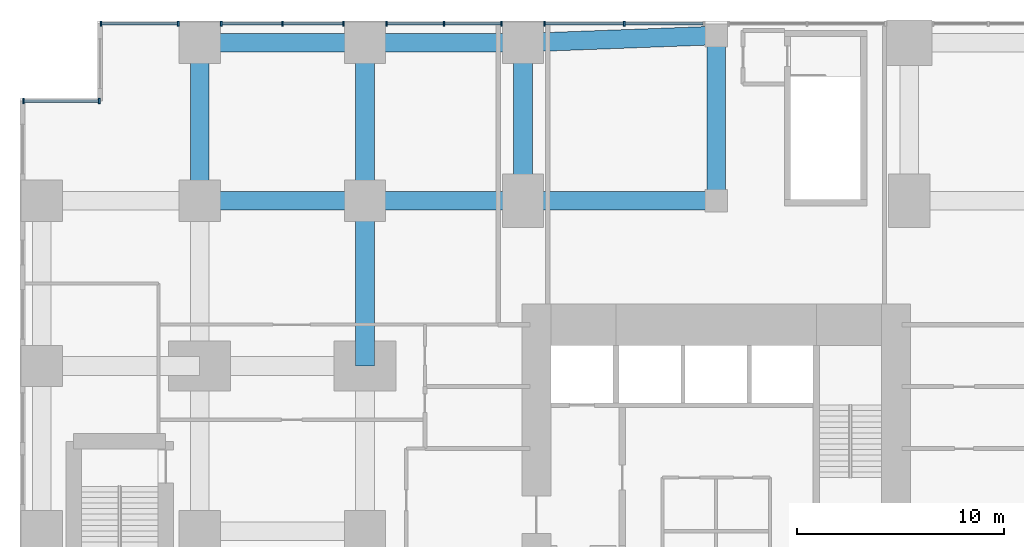
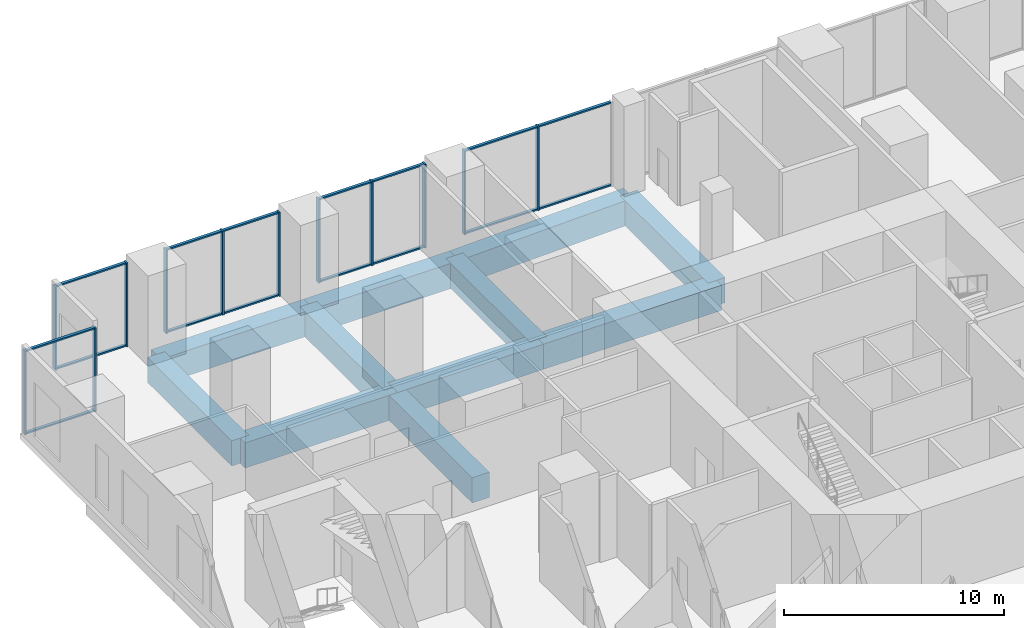
# One storey, part 2 of 11: 28 members, 11 beams, 5 elements without a shape of their own.
"""IFC4 building model written with IfcOpenShell, lengths in metres."""

from ifc_helpers import new_model, si_unit, direction, frame, origin, origin_2d, place, context, subcontext, project, spatial, rectangle, extrude, material, layer, layer_set, material_profile, profile_set, type_object, element, aggregate, save


model = new_model("IFC4")

# Units and contexts
model_context = context("Model", 3, precision=1e-05, world=origin(), true_north=direction((0.0, 1.0)))
body_context = subcontext(model_context, "Body", "Model", "MODEL_VIEW")
ifc_project = project(units=[si_unit("LENGTHUNIT", "METRE"), si_unit("AREAUNIT", "SQUARE_METRE"), si_unit("VOLUMEUNIT", "CUBIC_METRE"), si_unit("PLANEANGLEUNIT", "RADIAN"), si_unit("MASSUNIT", "GRAM", prefix="KILO")], contexts=[model_context])

# Site, building, storey
site_placement = place(None, origin())
site = spatial("IfcSite", under=ifc_project, at=site_placement, CompositionType="ELEMENT")
building_placement = place(site_placement, origin())
building = spatial("IfcBuilding", under=site, at=building_placement, Name="Cleftline Residences", CompositionType="ELEMENT")
storey_placement = place(building_placement, frame((0.0, 0.0, 21.0)))
storey = spatial("IfcBuildingStorey", under=building, at=storey_placement, Name="L04", CompositionType="ELEMENT", Elevation=21.0)

# Beams
ifc_material_1 = material(Name="Concrete B45", Category="concrete")
ifc_material_profile_1 = material_profile(ifc_material_1, rectangle(XDim=0.89990234375, YDim=1.39990234375, at=origin_2d()))
ifc_profile_set_1 = profile_set([ifc_material_profile_1], Name="Concrete B45")
beam_type = type_object("IfcBeamType", Name="BEAM RC900X1400", PredefinedType="BEAM", material=ifc_profile_set_1)
beam_1_placement = place(storey_placement, frame((8.0, 40.0, -1.0), z_axis=(1.0, 0.0, 0.0), x_axis=(0.0, 1.0, 0.0)))
element("IfcBeam", 1, at=beam_1_placement, inside=storey, type_object=beam_type, Name="Podium beam", PredefinedType="BEAM", context=body_context, shape_type="SweptSolid", body=[
    extrude(rectangle(XDim=0.89990234375, YDim=1.39990234375, at=origin_2d()), origin(), (0.0, 0.0, 1.0), 8.0),
])
beam_2_placement = place(storey_placement, frame((16.0, 40.0, -1.0), z_axis=(1.0, 0.0, 0.0), x_axis=(0.0, 1.0, 0.0)))
element("IfcBeam", 2, at=beam_2_placement, inside=storey, type_object=beam_type, Name="Podium beam", PredefinedType="BEAM", context=body_context, shape_type="SweptSolid", body=[
    extrude(rectangle(XDim=0.89990234375, YDim=1.39990234375, at=origin_2d()), origin(), (0.0, 0.0, 1.0), 7.64990234375),
])
beam_3_placement = place(storey_placement, frame((23.64990234375, 40.0, -1.0), z_axis=(1.0, 0.0, 0.0), x_axis=(0.0, 1.0, 0.0)))
element("IfcBeam", 3, at=beam_3_placement, inside=storey, type_object=beam_type, Name="Podium beam", PredefinedType="BEAM", context=body_context, shape_type="SweptSolid", body=[
    extrude(rectangle(XDim=0.89990234375, YDim=1.39990234375, at=origin_2d()), origin(), (0.0, 0.0, 1.0), 9.35009765625),
])
beam_4_placement = place(storey_placement, frame((8.0, 47.64990234375, -1.0), z_axis=(1.0, 0.0, 0.0), x_axis=(0.0, 1.0, 0.0)))
element("IfcBeam", 4, at=beam_4_placement, inside=storey, type_object=beam_type, Name="Podium beam", PredefinedType="BEAM", context=body_context, shape_type="SweptSolid", body=[
    extrude(rectangle(XDim=0.89990234375, YDim=1.39990234375, at=origin_2d()), origin(), (0.0, 0.0, 1.0), 8.0),
])
beam_5_placement = place(storey_placement, frame((16.0, 47.64990234375, -1.0), z_axis=(1.0, 0.0, 0.0), x_axis=(0.0, 1.0, 0.0)))
element("IfcBeam", 5, at=beam_5_placement, inside=storey, type_object=beam_type, Name="Podium beam", PredefinedType="BEAM", context=body_context, shape_type="SweptSolid", body=[
    extrude(rectangle(XDim=0.89990234375, YDim=1.39990234375, at=origin_2d()), origin(), (0.0, 0.0, 1.0), 7.64990234375),
])
beam_6_placement = place(storey_placement, frame((23.64990234375, 47.64990234375, -1.0), z_axis=(0.999299739303, 0.037416988515, 0.0), x_axis=(-0.037416988515, 0.999299739303, 0.0)))
element("IfcBeam", 6, at=beam_6_placement, inside=storey, type_object=beam_type, Name="Podium beam", PredefinedType="BEAM", context=body_context, shape_type="SweptSolid", body=[
    extrude(rectangle(XDim=0.89990234375, YDim=1.39990234375, at=origin_2d()), origin(), (0.0, 0.0, 1.0), 9.356689453125),
])
beam_7_placement = place(storey_placement, frame((8.0, 40.0, -1.0), z_axis=(0.0, 1.0, 0.0), x_axis=(-1.0, 0.0, 0.0)))
element("IfcBeam", 7, at=beam_7_placement, inside=storey, type_object=beam_type, Name="Podium beam", PredefinedType="BEAM", context=body_context, shape_type="SweptSolid", body=[
    extrude(rectangle(XDim=0.89990234375, YDim=1.39990234375, at=origin_2d()), origin(), (0.0, 0.0, 1.0), 7.64990234375),
])
beam_8_placement = place(storey_placement, frame((16.0, 32.0, -1.0), z_axis=(0.0, 1.0, 0.0), x_axis=(-1.0, 0.0, 0.0)))
element("IfcBeam", 8, at=beam_8_placement, inside=storey, type_object=beam_type, Name="Podium beam", PredefinedType="BEAM", context=body_context, shape_type="SweptSolid", body=[
    extrude(rectangle(XDim=0.89990234375, YDim=1.39990234375, at=origin_2d()), origin(), (0.0, 0.0, 1.0), 8.0),
])
for number, where, z_axis, x_axis, name in (
    (9, (16.0, 40.0, -1.0), (0.0, 1.0, 0.0), (-1.0, 0.0, 0.0), "Podium beam"),
    (10, (23.64990234375, 40.0, -1.0), (0.0, 1.0, 0.0), (-1.0, 0.0, 0.0), "Podium beam"),
):
    element("IfcBeam", number, at=place(storey_placement, frame(where, z_axis=z_axis, x_axis=x_axis)), inside=storey, type_object=beam_type, Name=name, PredefinedType="BEAM", context=body_context, shape_type="SweptSolid", body=[
        extrude(rectangle(XDim=0.89990234375, YDim=1.39990234375, at=origin_2d()), origin(), (0.0, 0.0, 1.0), 7.64990234375),
    ])
beam_9_placement = place(storey_placement, frame((33.0, 40.0, -1.0), z_axis=(0.0, 1.0, 0.0), x_axis=(-1.0, 0.0, 0.0)))
element("IfcBeam", 11, at=beam_9_placement, inside=storey, type_object=beam_type, Name="Podium beam", PredefinedType="BEAM", context=body_context, shape_type="SweptSolid", body=[
    extrude(rectangle(XDim=0.89990234375, YDim=1.39990234375, at=origin_2d()), origin(), (0.0, 0.0, 1.0), 8.0),
])

# Curtain wall, members
ifc_material_2 = material(Name="Aluminium framed curtain wall", Category="aluminium")
ifc_layer = layer(ifc_material_2, 0.199951171875)
ifc_layer_set = layer_set([ifc_layer], Name="CW2 PODIUM GLAZING")
curtain_wall_type = type_object("IfcCurtainWallType", Name="CW2 PODIUM GLAZING", PredefinedType="NOTDEFINED", material=ifc_layer_set)
curtain_wall_1_placement = place(storey_placement, origin())
curtain_wall_1 = element("IfcCurtainWall", 12, at=curtain_wall_1_placement, inside=storey, type_object=curtain_wall_type, Name="Curtain wall CW2", PredefinedType="NOTDEFINED")
ifc_material_3 = material(Name="Aluminium mullion", Category="aluminium")
ifc_material_profile_2 = material_profile(ifc_material_3, rectangle(XDim=0.25, YDim=0.080078125, at=origin_2d()))
ifc_profile_set_2 = profile_set([ifc_material_profile_2], Name="Aluminium mullion")
member_type_1 = type_object("IfcMemberType", Name="CW2 MULLION", PredefinedType="MULLION", material=ifc_profile_set_2)
member_1_placement = place(storey_placement, frame((28.550048828125, 48.574951171875, 0.0), z_axis=(0.0, 0.0, 1.0), x_axis=(0.0, -1.0, 0.0)))
member_1 = element("IfcMember", 13, at=member_1_placement, type_object=member_type_1, Name="CW2 mullion 2", PredefinedType="MULLION", context=body_context, shape_type="SweptSolid", body=[
    extrude(rectangle(XDim=0.25, YDim=0.080078125, at=origin_2d()), origin(), (0.0, 0.0, 1.0), 4.64990234375),
])
member_2_placement = place(storey_placement, frame((24.68994140625, 48.574951171875, 0.0), z_axis=(0.0, 0.0, 1.0), x_axis=(0.0, -1.0, 0.0)))
member_2 = element("IfcMember", 14, at=member_2_placement, type_object=member_type_1, Name="CW2 mullion 3", PredefinedType="MULLION", context=body_context, shape_type="SweptSolid", body=[
    extrude(rectangle(XDim=0.25, YDim=0.080078125, at=origin_2d()), origin(), (0.0, 0.0, 1.0), 4.64990234375),
])

curtain_wall_2_placement = place(storey_placement, origin())
curtain_wall_2 = element("IfcCurtainWall", 15, at=curtain_wall_2_placement, inside=storey, type_object=curtain_wall_type, Name="Curtain wall CW2", PredefinedType="NOTDEFINED")
member_3_placement = place(storey_placement, frame((22.610107421875, 48.574951171875, 0.0), z_axis=(0.0, 0.0, 1.0), x_axis=(0.0, -1.0, 0.0)))
member_3 = element("IfcMember", 16, at=member_3_placement, type_object=member_type_1, Name="CW2 mullion 1", PredefinedType="MULLION", context=body_context, shape_type="SweptSolid", body=[
    extrude(rectangle(XDim=0.25, YDim=0.080078125, at=origin_2d()), origin(), (0.0, 0.0, 1.0), 4.64990234375),
])
member_4_placement = place(storey_placement, frame((19.824951171875, 48.574951171875, 0.0), z_axis=(0.0, 0.0, 1.0), x_axis=(0.0, -1.0, 0.0)))
member_4 = element("IfcMember", 17, at=member_4_placement, type_object=member_type_1, Name="CW2 mullion 2", PredefinedType="MULLION", context=body_context, shape_type="SweptSolid", body=[
    extrude(rectangle(XDim=0.25, YDim=0.080078125, at=origin_2d()), origin(), (0.0, 0.0, 1.0), 4.64990234375),
])
member_5_placement = place(storey_placement, frame((17.0400390625, 48.574951171875, 0.0), z_axis=(0.0, 0.0, 1.0), x_axis=(0.0, -1.0, 0.0)))
member_5 = element("IfcMember", 18, at=member_5_placement, type_object=member_type_1, Name="CW2 mullion 3", PredefinedType="MULLION", context=body_context, shape_type="SweptSolid", body=[
    extrude(rectangle(XDim=0.25, YDim=0.080078125, at=origin_2d()), origin(), (0.0, 0.0, 1.0), 4.64990234375),
])

curtain_wall_3_placement = place(storey_placement, origin())
curtain_wall_3 = element("IfcCurtainWall", 19, at=curtain_wall_3_placement, inside=storey, type_object=curtain_wall_type, Name="Curtain wall CW2", PredefinedType="NOTDEFINED")
member_6_placement = place(storey_placement, frame((14.9599609375, 48.574951171875, 0.0), z_axis=(0.0, 0.0, 1.0), x_axis=(0.0, -1.0, 0.0)))
member_6 = element("IfcMember", 20, at=member_6_placement, type_object=member_type_1, Name="CW2 mullion 1", PredefinedType="MULLION", context=body_context, shape_type="SweptSolid", body=[
    extrude(rectangle(XDim=0.25, YDim=0.080078125, at=origin_2d()), origin(), (0.0, 0.0, 1.0), 4.64990234375),
])
member_7_placement = place(storey_placement, frame((12.0, 48.574951171875, 0.0), z_axis=(0.0, 0.0, 1.0), x_axis=(0.0, -1.0, 0.0)))
member_7 = element("IfcMember", 21, at=member_7_placement, type_object=member_type_1, Name="CW2 mullion 2", PredefinedType="MULLION", context=body_context, shape_type="SweptSolid", body=[
    extrude(rectangle(XDim=0.25, YDim=0.080078125, at=origin_2d()), origin(), (0.0, 0.0, 1.0), 4.64990234375),
])
member_8_placement = place(storey_placement, frame((9.0400390625, 48.574951171875, 0.0), z_axis=(0.0, 0.0, 1.0), x_axis=(0.0, -1.0, 0.0)))
member_8 = element("IfcMember", 22, at=member_8_placement, type_object=member_type_1, Name="CW2 mullion 3", PredefinedType="MULLION", context=body_context, shape_type="SweptSolid", body=[
    extrude(rectangle(XDim=0.25, YDim=0.080078125, at=origin_2d()), origin(), (0.0, 0.0, 1.0), 4.64990234375),
])

curtain_wall_4_placement = place(storey_placement, origin())
curtain_wall_4 = element("IfcCurtainWall", 23, at=curtain_wall_4_placement, inside=storey, type_object=curtain_wall_type, Name="Curtain wall CW2", PredefinedType="NOTDEFINED")
member_9_placement = place(storey_placement, frame((6.9599609375, 48.574951171875, 0.0), z_axis=(0.0, 0.0, 1.0), x_axis=(0.0, -1.0, 0.0)))
member_9 = element("IfcMember", 24, at=member_9_placement, type_object=member_type_1, Name="CW2 mullion 1", PredefinedType="MULLION", context=body_context, shape_type="SweptSolid", body=[
    extrude(rectangle(XDim=0.25, YDim=0.080078125, at=origin_2d()), origin(), (0.0, 0.0, 1.0), 4.64990234375),
])
member_10_placement = place(storey_placement, frame((3.215087890625, 48.574951171875, 0.0), z_axis=(0.0, 0.0, 1.0), x_axis=(0.0, -1.0, 0.0)))
member_10 = element("IfcMember", 25, at=member_10_placement, type_object=member_type_1, Name="CW2 mullion 2", PredefinedType="MULLION", context=body_context, shape_type="SweptSolid", body=[
    extrude(rectangle(XDim=0.25, YDim=0.080078125, at=origin_2d()), origin(), (0.0, 0.0, 1.0), 4.64990234375),
])

curtain_wall_5_placement = place(storey_placement, origin())
curtain_wall_5 = element("IfcCurtainWall", 26, at=curtain_wall_5_placement, inside=storey, type_object=curtain_wall_type, Name="Curtain wall CW2", PredefinedType="NOTDEFINED")
member_11_placement = place(storey_placement, frame((3.135009765625, 44.824951171875, 0.0), z_axis=(0.0, 0.0, 1.0), x_axis=(0.0, -1.0, 0.0)))
member_11 = element("IfcMember", 27, at=member_11_placement, type_object=member_type_1, Name="CW2 mullion 1", PredefinedType="MULLION", context=body_context, shape_type="SweptSolid", body=[
    extrude(rectangle(XDim=0.25, YDim=0.080078125, at=origin_2d()), origin(), (0.0, 0.0, 1.0), 4.64990234375),
])
member_12_placement = place(storey_placement, frame((-0.534912109375, 44.824951171875, 0.0), z_axis=(0.0, 0.0, 1.0), x_axis=(0.0, -1.0, 0.0)))
member_12 = element("IfcMember", 28, at=member_12_placement, type_object=member_type_1, Name="CW2 mullion 2", PredefinedType="MULLION", context=body_context, shape_type="SweptSolid", body=[
    extrude(rectangle(XDim=0.25, YDim=0.080078125, at=origin_2d()), origin(), (0.0, 0.0, 1.0), 4.64990234375),
])

# Member
ifc_material_4 = material(Name="Aluminium transom", Category="aluminium")
ifc_material_profile_3 = material_profile(ifc_material_4, rectangle(XDim=0.14990234375, YDim=0.080078125, at=origin_2d()))
ifc_profile_set_3 = profile_set([ifc_material_profile_3], Name="Aluminium transom")
member_type_2 = type_object("IfcMemberType", Name="CW2 TRANSOM", PredefinedType="USERDEFINED", material=ifc_profile_set_3)
member_13_placement = place(storey_placement, frame((32.3701171875, 48.574951171875, 0.0400390625), z_axis=(-1.0, 0.0, 0.0), x_axis=(0.0, -1.0, 0.0)))
member_13 = element("IfcMember", 29, at=member_13_placement, type_object=member_type_2, Name="CW2 transom 1.1", ObjectType="TRANSOM", PredefinedType="USERDEFINED", context=body_context, shape_type="SweptSolid", body=[
    extrude(rectangle(XDim=0.14990234375, YDim=0.080078125, at=origin_2d()), origin(), (0.0, 0.0, 1.0), 3.780029296875),
])

member_14_placement = place(storey_placement, frame((32.3701171875, 48.574951171875, 4.610107421875), z_axis=(-1.0, 0.0, 0.0), x_axis=(0.0, -1.0, 0.0)))
member_14 = element("IfcMember", 30, at=member_14_placement, type_object=member_type_2, Name="CW2 transom 1.2", ObjectType="TRANSOM", PredefinedType="USERDEFINED", context=body_context, shape_type="SweptSolid", body=[
    extrude(rectangle(XDim=0.14990234375, YDim=0.080078125, at=origin_2d()), origin(), (0.0, 0.0, 1.0), 3.780029296875),
])

member_15_placement = place(storey_placement, frame((28.510009765625, 48.574951171875, 0.0400390625), z_axis=(-1.0, 0.0, 0.0), x_axis=(0.0, -1.0, 0.0)))
member_15 = element("IfcMember", 31, at=member_15_placement, type_object=member_type_2, Name="CW2 transom 2.1", ObjectType="TRANSOM", PredefinedType="USERDEFINED", context=body_context, shape_type="SweptSolid", body=[
    extrude(rectangle(XDim=0.14990234375, YDim=0.080078125, at=origin_2d()), origin(), (0.0, 0.0, 1.0), 3.780029296875),
])

member_16_placement = place(storey_placement, frame((28.510009765625, 48.574951171875, 4.610107421875), z_axis=(-1.0, 0.0, 0.0), x_axis=(0.0, -1.0, 0.0)))
member_16 = element("IfcMember", 32, at=member_16_placement, type_object=member_type_2, Name="CW2 transom 2.2", ObjectType="TRANSOM", PredefinedType="USERDEFINED", context=body_context, shape_type="SweptSolid", body=[
    extrude(rectangle(XDim=0.14990234375, YDim=0.080078125, at=origin_2d()), origin(), (0.0, 0.0, 1.0), 3.780029296875),
])

aggregate(curtain_wall_1, [member_1, member_2, member_13, member_14, member_15, member_16])

member_17_placement = place(storey_placement, frame((22.570068359375, 48.574951171875, 0.0400390625), z_axis=(-1.0, 0.0, 0.0), x_axis=(0.0, -1.0, 0.0)))
member_17 = element("IfcMember", 33, at=member_17_placement, type_object=member_type_2, Name="CW2 transom 1.1", ObjectType="TRANSOM", PredefinedType="USERDEFINED", context=body_context, shape_type="SweptSolid", body=[
    extrude(rectangle(XDim=0.14990234375, YDim=0.080078125, at=origin_2d()), origin(), (0.0, 0.0, 1.0), 2.705078125),
])

member_18_placement = place(storey_placement, frame((22.570068359375, 48.574951171875, 4.610107421875), z_axis=(-1.0, 0.0, 0.0), x_axis=(0.0, -1.0, 0.0)))
member_18 = element("IfcMember", 34, at=member_18_placement, type_object=member_type_2, Name="CW2 transom 1.2", ObjectType="TRANSOM", PredefinedType="USERDEFINED", context=body_context, shape_type="SweptSolid", body=[
    extrude(rectangle(XDim=0.14990234375, YDim=0.080078125, at=origin_2d()), origin(), (0.0, 0.0, 1.0), 2.705078125),
])

member_19_placement = place(storey_placement, frame((19.784912109375, 48.574951171875, 0.0400390625), z_axis=(-1.0, 0.0, 0.0), x_axis=(0.0, -1.0, 0.0)))
member_19 = element("IfcMember", 35, at=member_19_placement, type_object=member_type_2, Name="CW2 transom 2.1", ObjectType="TRANSOM", PredefinedType="USERDEFINED", context=body_context, shape_type="SweptSolid", body=[
    extrude(rectangle(XDim=0.14990234375, YDim=0.080078125, at=origin_2d()), origin(), (0.0, 0.0, 1.0), 2.704833984375),
])

member_20_placement = place(storey_placement, frame((19.784912109375, 48.574951171875, 4.610107421875), z_axis=(-1.0, 0.0, 0.0), x_axis=(0.0, -1.0, 0.0)))
member_20 = element("IfcMember", 36, at=member_20_placement, type_object=member_type_2, Name="CW2 transom 2.2", ObjectType="TRANSOM", PredefinedType="USERDEFINED", context=body_context, shape_type="SweptSolid", body=[
    extrude(rectangle(XDim=0.14990234375, YDim=0.080078125, at=origin_2d()), origin(), (0.0, 0.0, 1.0), 2.704833984375),
])

aggregate(curtain_wall_2, [member_3, member_4, member_5, member_17, member_18, member_19, member_20])

member_21_placement = place(storey_placement, frame((14.919921875, 48.574951171875, 0.0400390625), z_axis=(-1.0, 0.0, 0.0), x_axis=(0.0, -1.0, 0.0)))
member_21 = element("IfcMember", 37, at=member_21_placement, type_object=member_type_2, Name="CW2 transom 1.1", ObjectType="TRANSOM", PredefinedType="USERDEFINED", context=body_context, shape_type="SweptSolid", body=[
    extrude(rectangle(XDim=0.14990234375, YDim=0.080078125, at=origin_2d()), origin(), (0.0, 0.0, 1.0), 2.8798828125),
])

member_22_placement = place(storey_placement, frame((14.919921875, 48.574951171875, 4.610107421875), z_axis=(-1.0, 0.0, 0.0), x_axis=(0.0, -1.0, 0.0)))
member_22 = element("IfcMember", 38, at=member_22_placement, type_object=member_type_2, Name="CW2 transom 1.2", ObjectType="TRANSOM", PredefinedType="USERDEFINED", context=body_context, shape_type="SweptSolid", body=[
    extrude(rectangle(XDim=0.14990234375, YDim=0.080078125, at=origin_2d()), origin(), (0.0, 0.0, 1.0), 2.8798828125),
])

member_23_placement = place(storey_placement, frame((11.9599609375, 48.574951171875, 0.0400390625), z_axis=(-1.0, 0.0, 0.0), x_axis=(0.0, -1.0, 0.0)))
member_23 = element("IfcMember", 39, at=member_23_placement, type_object=member_type_2, Name="CW2 transom 2.1", ObjectType="TRANSOM", PredefinedType="USERDEFINED", context=body_context, shape_type="SweptSolid", body=[
    extrude(rectangle(XDim=0.14990234375, YDim=0.080078125, at=origin_2d()), origin(), (0.0, 0.0, 1.0), 2.8798828125),
])

member_24_placement = place(storey_placement, frame((11.9599609375, 48.574951171875, 4.610107421875), z_axis=(-1.0, 0.0, 0.0), x_axis=(0.0, -1.0, 0.0)))
member_24 = element("IfcMember", 40, at=member_24_placement, type_object=member_type_2, Name="CW2 transom 2.2", ObjectType="TRANSOM", PredefinedType="USERDEFINED", context=body_context, shape_type="SweptSolid", body=[
    extrude(rectangle(XDim=0.14990234375, YDim=0.080078125, at=origin_2d()), origin(), (0.0, 0.0, 1.0), 2.8798828125),
])

aggregate(curtain_wall_3, [member_6, member_7, member_8, member_21, member_22, member_23, member_24])

member_25_placement = place(storey_placement, frame((6.919921875, 48.574951171875, 0.0400390625), z_axis=(-1.0, 0.0, 0.0), x_axis=(0.0, -1.0, 0.0)))
member_25 = element("IfcMember", 41, at=member_25_placement, type_object=member_type_2, Name="CW2 transom 1.1", ObjectType="TRANSOM", PredefinedType="USERDEFINED", context=body_context, shape_type="SweptSolid", body=[
    extrude(rectangle(XDim=0.14990234375, YDim=0.080078125, at=origin_2d()), origin(), (0.0, 0.0, 1.0), 3.6650390625),
])

member_26_placement = place(storey_placement, frame((6.919921875, 48.574951171875, 4.610107421875), z_axis=(-1.0, 0.0, 0.0), x_axis=(0.0, -1.0, 0.0)))
member_26 = element("IfcMember", 42, at=member_26_placement, type_object=member_type_2, Name="CW2 transom 1.2", ObjectType="TRANSOM", PredefinedType="USERDEFINED", context=body_context, shape_type="SweptSolid", body=[
    extrude(rectangle(XDim=0.14990234375, YDim=0.080078125, at=origin_2d()), origin(), (0.0, 0.0, 1.0), 3.6650390625),
])

aggregate(curtain_wall_4, [member_9, member_10, member_25, member_26])

member_27_placement = place(storey_placement, frame((3.094970703125, 44.824951171875, 0.0400390625), z_axis=(-1.0, 0.0, 0.0), x_axis=(0.0, -1.0, 0.0)))
member_27 = element("IfcMember", 43, at=member_27_placement, type_object=member_type_2, Name="CW2 transom 1.1", ObjectType="TRANSOM", PredefinedType="USERDEFINED", context=body_context, shape_type="SweptSolid", body=[
    extrude(rectangle(XDim=0.14990234375, YDim=0.080078125, at=origin_2d()), origin(), (0.0, 0.0, 1.0), 3.590087890625),
])

member_28_placement = place(storey_placement, frame((3.094970703125, 44.824951171875, 4.610107421875), z_axis=(-1.0, 0.0, 0.0), x_axis=(0.0, -1.0, 0.0)))
member_28 = element("IfcMember", 44, at=member_28_placement, type_object=member_type_2, Name="CW2 transom 1.2", ObjectType="TRANSOM", PredefinedType="USERDEFINED", context=body_context, shape_type="SweptSolid", body=[
    extrude(rectangle(XDim=0.14990234375, YDim=0.080078125, at=origin_2d()), origin(), (0.0, 0.0, 1.0), 3.590087890625),
])

aggregate(curtain_wall_5, [member_11, member_12, member_27, member_28])

save(model, "model.ifc")
